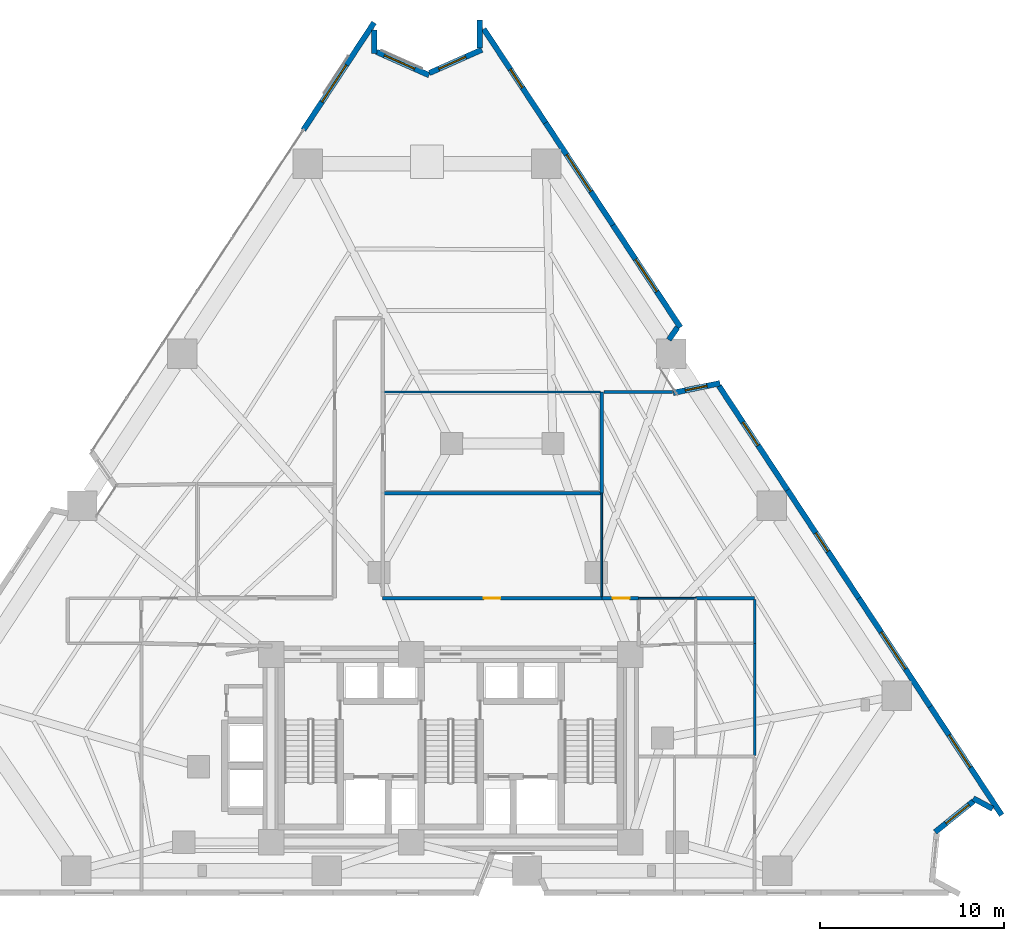
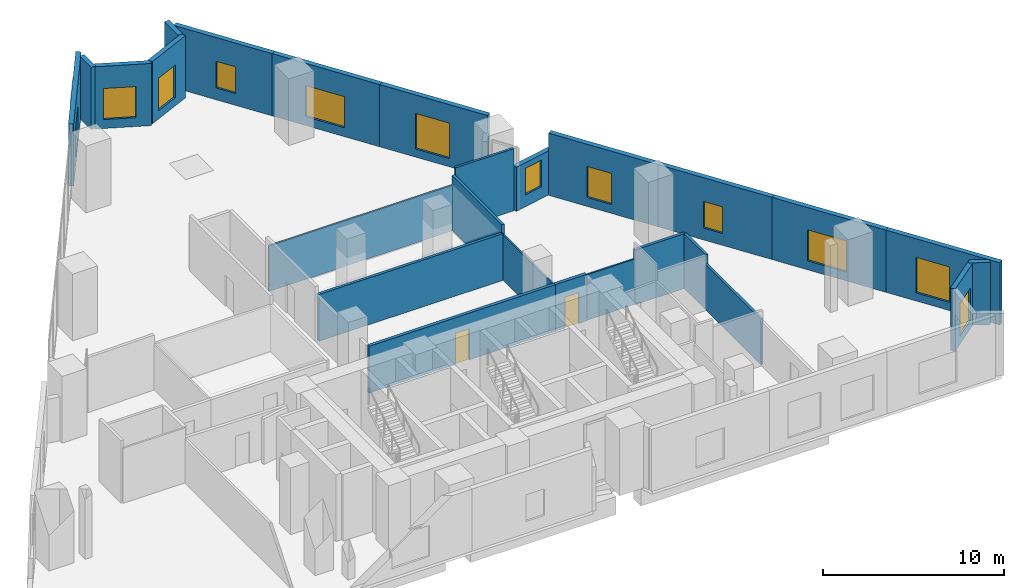
# One storey, part 9 of 12: 27 walls, 12 windows, 2 doors, 14 openings.
"""IFC4 building model written with IfcOpenShell, lengths in metres."""

from ifc_helpers import new_model, si_unit, direction, frame, frame_2d, origin, place, context, subcontext, project, spatial, rectangle, extrude, material, layer, layer_set, type_object, element, fill, save


model = new_model("IFC4")

# Units and contexts
model_context = context("Model", 3, precision=1e-05, world=origin(), true_north=direction((0.0, 1.0)))
body_context = subcontext(model_context, "Body", "Model", "MODEL_VIEW")
ifc_project = project(units=[si_unit("LENGTHUNIT", "METRE"), si_unit("AREAUNIT", "SQUARE_METRE"), si_unit("VOLUMEUNIT", "CUBIC_METRE"), si_unit("PLANEANGLEUNIT", "RADIAN"), si_unit("MASSUNIT", "GRAM", prefix="KILO")], contexts=[model_context])

# Site, building, storey
site_placement = place(None, origin())
site = spatial("IfcSite", under=ifc_project, at=site_placement, CompositionType="ELEMENT")
building_placement = place(site_placement, origin())
building = spatial("IfcBuilding", under=site, at=building_placement, Name="Almagre Mirador Tower", CompositionType="ELEMENT")
storey_placement = place(building_placement, frame((0.0, 0.0, 17.39990234375)))
storey = spatial("IfcBuildingStorey", under=building, at=storey_placement, Name="L03", CompositionType="ELEMENT", Elevation=17.39990234375)

# Wall, opening, window
ifc_material_1 = material(Name="Precast concrete C50/60", Category="concrete")
ifc_layer_1 = layer(ifc_material_1, 0.300048828125)
ifc_layer_set_1 = layer_set([ifc_layer_1], Name="Precast concrete C50/60")
wall_type_1 = type_object("IfcWallType", Name="WAL-EXT-300", PredefinedType="SOLIDWALL", material=ifc_layer_set_1)
wall_1_placement = place(storey_placement, frame((29.300048828125, 43.231689453125, 0.0), z_axis=(0.0, 0.0, 1.0), x_axis=(0.550186398058, 0.83504187164, 0.0)))
wall_1 = element("IfcWall", 1, at=wall_1_placement, inside=storey, type_object=wall_type_1, Name="L03 expressed almagre precast frame wall 03", PredefinedType="SOLIDWALL", context=body_context, shape_type="SweptSolid", body=[
    extrude(rectangle(XDim=6.977294921875, YDim=0.300048828125, at=frame_2d((3.48876953125, 0.0))), origin(), (0.0, 0.0, 1.0), 4.2001953125),
])
opening_1_placement = place(wall_1_placement, frame((1.824951171875, 0.0, 0.60009765625)))
opening_1 = element("IfcOpeningElement", 2, at=opening_1_placement, cuts=wall_1, Name="Opening WN-02", PredefinedType="OPENING", context=body_context, shape_type="SweptSolid", body=[
    extrude(rectangle(XDim=2.39990234375, YDim=2.10009765625, at=frame_2d((1.199951171875, 1.050048828125))), frame((0.0, 0.159902, 0.0), z_axis=(0.0, -1.0, 0.0), x_axis=(1.0, 0.0, 0.0)), (0.0, 0.0, 1.0), 0.320049),
])
ifc_material_2 = material(Name="Dark solar-control laminated hurricane glass", Category="glass")
window_type_1 = type_object("IfcWindowType", Name="WIN-2400X2100", PartitioningType="TRIPLE_PANEL_VERTICAL", PredefinedType="WINDOW", material=ifc_material_2)
window_1_placement = place(opening_1_placement, origin())
window_1 = element("IfcWindow", 3, at=window_1_placement, inside=storey, type_object=window_type_1, Name="L03 recessed hurricane window L03-MAS-12", OverallHeight=2.10009765625, OverallWidth=2.39990234375, PartitioningType="SINGLE_PANEL", PredefinedType="WINDOW", context=body_context, shape_type="SweptSolid", body=[
    extrude(rectangle(XDim=2.39990234375, YDim=2.10009765625, at=frame_2d((1.199951171875, 1.050048828125))), frame((0.0, 0.030029296875, 0.0), z_axis=(0.0, -1.0, 0.0), x_axis=(1.0, 0.0, 0.0)), (0.0, 0.0, 1.0), 0.06005859375),
])
fill(opening_1, window_1)

# Wall
wall_2_placement = place(storey_placement, frame((33.138916015625, 48.657958984375, 0.0), z_axis=(0.0, 0.0, 1.0), x_axis=(0.0, -1.0, 0.0)))
element("IfcWall", 4, at=wall_2_placement, inside=storey, type_object=wall_type_1, Name="L03 expressed almagre precast frame wall 04", PredefinedType="SOLIDWALL", context=body_context, shape_type="SweptSolid", body=[
    extrude(rectangle(XDim=1.27001953125, YDim=0.300048828125, at=frame_2d((0.635009765625, 0.0))), origin(), (0.0, 0.0, 1.0), 4.2001953125),
])

# Wall, opening, window
wall_3_placement = place(storey_placement, frame((33.26708984375, 47.47119140625, 0.0), z_axis=(0.0, 0.0, 1.0), x_axis=(0.913753658291, -0.40626869429, 0.0)))
wall_3 = element("IfcWall", 5, at=wall_3_placement, inside=storey, type_object=wall_type_1, Name="L03 expressed almagre precast frame wall 05", PredefinedType="SOLIDWALL", context=body_context, shape_type="SweptSolid", body=[
    extrude(rectangle(XDim=3.130859375, YDim=0.300048828125, at=frame_2d((1.5654296875, 0.0))), origin(), (0.0, 0.0, 1.0), 4.2001953125),
])
opening_2_placement = place(wall_3_placement, frame((0.469970703125, 0.0, 0.60009765625)))
opening_2 = element("IfcOpeningElement", 6, at=opening_2_placement, cuts=wall_3, Name="Opening WN-01", PredefinedType="OPENING", context=body_context, shape_type="SweptSolid", body=[
    extrude(rectangle(XDim=1.800048828125, YDim=2.10009765625, at=frame_2d((0.89990234375, 1.050048828125))), frame((0.0, 0.159902, 0.0), z_axis=(0.0, -1.0, 0.0), x_axis=(1.0, 0.0, 0.0)), (0.0, 0.0, 1.0), 0.320049),
])
ifc_material_3 = material(Name="Dark solar-control laminated hurricane glass", Category="glass")
window_type_2 = type_object("IfcWindowType", Name="WIN-1800X2100", PartitioningType="DOUBLE_PANEL_VERTICAL", PredefinedType="WINDOW", material=ifc_material_3)
window_2_placement = place(opening_2_placement, origin())
window_2 = element("IfcWindow", 7, at=window_2_placement, inside=storey, type_object=window_type_2, Name="L03 recessed hurricane window L03-MAS-12", OverallHeight=2.10009765625, OverallWidth=1.800048828125, PartitioningType="SINGLE_PANEL", PredefinedType="WINDOW", context=body_context, shape_type="SweptSolid", body=[
    extrude(rectangle(XDim=1.800048828125, YDim=2.10009765625, at=frame_2d((0.89990234375, 1.050048828125))), frame((0.0, 0.030029296875, 0.0), z_axis=(0.0, -1.0, 0.0), x_axis=(1.0, 0.0, 0.0)), (0.0, 0.0, 1.0), 0.06005859375),
])
fill(opening_2, window_2)

wall_4_placement = place(storey_placement, frame((36.13720703125, 46.31689453125, 0.0), z_axis=(0.0, 0.0, 1.0), x_axis=(0.913740568099, 0.406298134638, 0.0)))
wall_4 = element("IfcWall", 8, at=wall_4_placement, inside=storey, type_object=wall_type_1, Name="L03 expressed almagre precast frame wall 06", PredefinedType="SOLIDWALL", context=body_context, shape_type="SweptSolid", body=[
    extrude(rectangle(XDim=3.12109375, YDim=0.300048828125, at=frame_2d((1.560546875, 0.0))), origin(), (0.0, 0.0, 1.0), 4.2001953125),
])
opening_3_placement = place(wall_4_placement, frame((0.56005859375, 0.0, 0.550048828125)))
opening_3 = element("IfcOpeningElement", 9, at=opening_3_placement, cuts=wall_4, Name="Opening WN-06", PredefinedType="OPENING", context=body_context, shape_type="SweptSolid", body=[
    extrude(rectangle(XDim=1.60009765625, YDim=2.199951171875, at=frame_2d((0.800048828125, 1.10009765625))), frame((0.0, 0.159902, 0.0), z_axis=(0.0, -1.0, 0.0), x_axis=(1.0, 0.0, 0.0)), (0.0, 0.0, 1.0), 0.320049),
])
ifc_material_4 = material(Name="Dark solar-control laminated hurricane glass", Category="glass")
window_type_3 = type_object("IfcWindowType", Name="WIN-1600X2200", PartitioningType="DOUBLE_PANEL_VERTICAL", PredefinedType="WINDOW", material=ifc_material_4)
window_3_placement = place(opening_3_placement, origin())
window_3 = element("IfcWindow", 10, at=window_3_placement, inside=storey, type_object=window_type_3, Name="L03 recessed hurricane window L03-MAS-12", OverallHeight=2.199951171875, OverallWidth=1.60009765625, PartitioningType="SINGLE_PANEL", PredefinedType="WINDOW", context=body_context, shape_type="SweptSolid", body=[
    extrude(rectangle(XDim=1.60009765625, YDim=2.199951171875, at=frame_2d((0.800048828125, 1.10009765625))), frame((0.0, 0.030029296875, 0.0), z_axis=(0.0, -1.0, 0.0), x_axis=(1.0, 0.0, 0.0)), (0.0, 0.0, 1.0), 0.06005859375),
])
fill(opening_3, window_3)

# Wall
wall_5_placement = place(storey_placement, frame((38.861083984375, 47.673095703125, 0.0), z_axis=(0.0, 0.0, 1.0), x_axis=(0.0, 1.0, 0.0)))
element("IfcWall", 11, at=wall_5_placement, inside=storey, type_object=wall_type_1, Name="L03 expressed almagre precast frame wall 07", PredefinedType="SOLIDWALL", context=body_context, shape_type="SweptSolid", body=[
    extrude(rectangle(XDim=1.52490234375, YDim=0.300048828125, at=frame_2d((0.762451171875, 0.0))), origin(), (0.0, 0.0, 1.0), 4.2001953125),
])

# Wall, opening, window
wall_6_placement = place(storey_placement, frame((39.08935546875, 48.71142578125, 0.0), z_axis=(0.0, 0.0, 1.0), x_axis=(0.550222044762, -0.835018383904, 0.0)))
wall_6 = element("IfcWall", 12, at=wall_6_placement, inside=storey, type_object=wall_type_1, Name="L03 expressed almagre precast frame wall 08", PredefinedType="SOLIDWALL", context=body_context, shape_type="SweptSolid", body=[
    extrude(rectangle(XDim=6.10009765625, YDim=0.300048828125, at=frame_2d((3.050048828125, 0.0))), origin(), (0.0, 0.0, 1.0), 4.2001953125),
])
opening_4_placement = place(wall_6_placement, frame((2.6201171875, 0.0, 0.800048828125)))
opening_4 = element("IfcOpeningElement", 13, at=opening_4_placement, cuts=wall_6, Name="Opening WN-04", PredefinedType="OPENING", context=body_context, shape_type="SweptSolid", body=[
    extrude(rectangle(XDim=1.199951171875, YDim=1.800048828125, at=frame_2d((0.60009765625, 0.89990234375))), frame((0.0, 0.159902, 0.0), z_axis=(0.0, -1.0, 0.0), x_axis=(1.0, 0.0, 0.0)), (0.0, 0.0, 1.0), 0.320049),
])
ifc_material_5 = material(Name="Dark solar-control laminated hurricane glass", Category="glass")
window_type_4 = type_object("IfcWindowType", Name="WIN-1200X1800", PartitioningType="SINGLE_PANEL", PredefinedType="WINDOW", material=ifc_material_5)
window_4_placement = place(opening_4_placement, origin())
window_4 = element("IfcWindow", 14, at=window_4_placement, inside=storey, type_object=window_type_4, Name="L03 recessed hurricane window L03-MAS-12", OverallHeight=1.800048828125, OverallWidth=1.199951171875, PartitioningType="SINGLE_PANEL", PredefinedType="WINDOW", context=body_context, shape_type="SweptSolid", body=[
    extrude(rectangle(XDim=1.199951171875, YDim=1.800048828125, at=frame_2d((0.60009765625, 0.89990234375))), frame((0.0, 0.030029296875, 0.0), z_axis=(0.0, -1.0, 0.0), x_axis=(1.0, 0.0, 0.0)), (0.0, 0.0, 1.0), 0.06005859375),
])
fill(opening_4, window_4)

wall_7_placement = place(storey_placement, frame((42.44580078125, 43.61767578125, 0.0), z_axis=(0.0, 0.0, 1.0), x_axis=(0.55018838955, -0.835040559497, 0.0)))
wall_7 = element("IfcWall", 15, at=wall_7_placement, inside=storey, type_object=wall_type_1, Name="L03 expressed almagre precast frame wall 09", PredefinedType="SOLIDWALL", context=body_context, shape_type="SweptSolid", body=[
    extrude(rectangle(XDim=6.6552734375, YDim=0.300048828125, at=frame_2d((3.32763671875, 0.0))), origin(), (0.0, 0.0, 1.0), 4.2001953125),
])
opening_5_placement = place(wall_7_placement, frame((2.074951171875, 0.0, 0.60009765625)))
opening_5 = element("IfcOpeningElement", 16, at=opening_5_placement, cuts=wall_7, Name="Opening WN-02", PredefinedType="OPENING", context=body_context, shape_type="SweptSolid", body=[
    extrude(rectangle(XDim=2.39990234375, YDim=2.10009765625, at=frame_2d((1.199951171875, 1.050048828125))), frame((0.0, 0.159902, 0.0), z_axis=(0.0, -1.0, 0.0), x_axis=(1.0, 0.0, 0.0)), (0.0, 0.0, 1.0), 0.320049),
])
window_5_placement = place(opening_5_placement, origin())
window_5 = element("IfcWindow", 17, at=window_5_placement, inside=storey, type_object=window_type_1, Name="L03 recessed hurricane window L03-MAS-12", OverallHeight=2.10009765625, OverallWidth=2.39990234375, PartitioningType="SINGLE_PANEL", PredefinedType="WINDOW", context=body_context, shape_type="SweptSolid", body=[
    extrude(rectangle(XDim=2.39990234375, YDim=2.10009765625, at=frame_2d((1.199951171875, 1.050048828125))), frame((0.0, 0.030029296875, 0.0), z_axis=(0.0, -1.0, 0.0), x_axis=(1.0, 0.0, 0.0)), (0.0, 0.0, 1.0), 0.06005859375),
])
fill(opening_5, window_5)

wall_8_placement = place(storey_placement, frame((46.107421875, 38.060302734375, 0.0), z_axis=(0.0, 0.0, 1.0), x_axis=(0.550205243724, -0.835029454438, 0.0)))
wall_8 = element("IfcWall", 18, at=wall_8_placement, inside=storey, type_object=wall_type_1, Name="L03 expressed almagre precast frame wall 10", PredefinedType="SOLIDWALL", context=body_context, shape_type="SweptSolid", body=[
    extrude(rectangle(XDim=6.655029296875, YDim=0.300048828125, at=frame_2d((3.32763671875, 0.0))), origin(), (0.0, 0.0, 1.0), 4.2001953125),
])
opening_6_placement = place(wall_8_placement, frame((2.22509765625, 0.0, 0.550048828125)))
opening_6 = element("IfcOpeningElement", 19, at=opening_6_placement, cuts=wall_8, Name="Opening WN-05", PredefinedType="OPENING", context=body_context, shape_type="SweptSolid", body=[
    extrude(rectangle(XDim=2.10009765625, YDim=2.39990234375, at=frame_2d((1.050048828125, 1.199951171875))), frame((0.0, 0.159902, 0.0), z_axis=(0.0, -1.0, 0.0), x_axis=(1.0, 0.0, 0.0)), (0.0, 0.0, 1.0), 0.320049),
])
ifc_material_6 = material(Name="Dark solar-control laminated hurricane glass", Category="glass")
window_type_5 = type_object("IfcWindowType", Name="WIN-2100X2400", PartitioningType="DOUBLE_PANEL_VERTICAL", PredefinedType="WINDOW", material=ifc_material_6)
window_6_placement = place(opening_6_placement, origin())
window_6 = element("IfcWindow", 20, at=window_6_placement, inside=storey, type_object=window_type_5, Name="L03 recessed hurricane window L03-MAS-12", OverallHeight=2.39990234375, OverallWidth=2.10009765625, PartitioningType="SINGLE_PANEL", PredefinedType="WINDOW", context=body_context, shape_type="SweptSolid", body=[
    extrude(rectangle(XDim=2.10009765625, YDim=2.39990234375, at=frame_2d((1.050048828125, 1.199951171875))), frame((0.0, 0.030029296875, 0.0), z_axis=(0.0, -1.0, 0.0), x_axis=(1.0, 0.0, 0.0)), (0.0, 0.0, 1.0), 0.06005859375),
])
fill(opening_6, window_6)

# Wall
wall_9_placement = place(storey_placement, frame((49.61181640625, 32.50537109375, 0.0), z_axis=(0.0, 0.0, 1.0), x_axis=(-0.572626582804, -0.819816318859, 0.0)))
element("IfcWall", 21, at=wall_9_placement, inside=storey, type_object=wall_type_1, Name="L03 expressed almagre precast frame wall 11", PredefinedType="SOLIDWALL", context=body_context, shape_type="SweptSolid", body=[
    extrude(rectangle(XDim=0.82373046875, YDim=0.300048828125, at=frame_2d((0.411865234375, 0.0))), origin(), (0.0, 0.0, 1.0), 2.97509765625),
])

# Wall, opening, window
wall_10_placement = place(storey_placement, frame((49.3798828125, 28.94970703125, 0.0), z_axis=(0.0, 0.0, 1.0), x_axis=(0.979255912096, 0.202627388635, 0.0)))
wall_10 = element("IfcWall", 22, at=wall_10_placement, inside=storey, type_object=wall_type_1, Name="L03 expressed almagre precast frame wall 12", PredefinedType="SOLIDWALL", context=body_context, shape_type="SweptSolid", body=[
    extrude(rectangle(XDim=2.593994140625, YDim=0.300048828125, at=frame_2d((1.296875, 0.0))), origin(), (0.0, 0.0, 1.0), 2.97509765625),
])
opening_7_placement = place(wall_10_placement, frame((0.675048828125, 0.0, 0.800048828125)))
opening_7 = element("IfcOpeningElement", 23, at=opening_7_placement, cuts=wall_10, Name="Opening WN-04", PredefinedType="OPENING", context=body_context, shape_type="SweptSolid", body=[
    extrude(rectangle(XDim=1.199951171875, YDim=1.800048828125, at=frame_2d((0.60009765625, 0.89990234375))), frame((0.0, 0.159902, 0.0), z_axis=(0.0, -1.0, 0.0), x_axis=(1.0, 0.0, 0.0)), (0.0, 0.0, 1.0), 0.320049),
])
window_7_placement = place(opening_7_placement, origin())
window_7 = element("IfcWindow", 24, at=window_7_placement, inside=storey, type_object=window_type_4, Name="L03 recessed hurricane window L03-TRT-5", OverallHeight=1.800048828125, OverallWidth=1.199951171875, PartitioningType="SINGLE_PANEL", PredefinedType="WINDOW", context=body_context, shape_type="SweptSolid", body=[
    extrude(rectangle(XDim=1.199951171875, YDim=1.800048828125, at=frame_2d((0.60009765625, 0.89990234375))), frame((0.0, 0.030029296875, 0.0), z_axis=(0.0, -1.0, 0.0), x_axis=(1.0, 0.0, 0.0)), (0.0, 0.0, 1.0), 0.06005859375),
])
fill(opening_7, window_7)

wall_11_placement = place(storey_placement, frame((51.857421875, 29.334228515625, 0.0), z_axis=(0.0, 0.0, 1.0), x_axis=(0.550199688891, -0.835033114519, 0.0)))
wall_11 = element("IfcWall", 25, at=wall_11_placement, inside=storey, type_object=wall_type_1, Name="L03 expressed almagre precast frame wall 13", PredefinedType="SOLIDWALL", context=body_context, shape_type="SweptSolid", body=[
    extrude(rectangle(XDim=6.772216796875, YDim=0.300048828125, at=frame_2d((3.38623046875, 0.0))), origin(), (0.0, 0.0, 1.0), 4.2001953125),
])
opening_8_placement = place(wall_11_placement, frame((2.375, 0.0, 0.60009765625)))
opening_8 = element("IfcOpeningElement", 26, at=opening_8_placement, cuts=wall_11, Name="Opening WN-03", PredefinedType="OPENING", context=body_context, shape_type="SweptSolid", body=[
    extrude(rectangle(XDim=1.5, YDim=2.10009765625, at=frame_2d((0.75, 1.050048828125))), frame((0.0, 0.159902, 0.0), z_axis=(0.0, -1.0, 0.0), x_axis=(1.0, 0.0, 0.0)), (0.0, 0.0, 1.0), 0.320049),
])
ifc_material_7 = material(Name="Dark solar-control laminated hurricane glass", Category="glass")
window_type_6 = type_object("IfcWindowType", Name="WIN-1500X2100", PartitioningType="DOUBLE_PANEL_VERTICAL", PredefinedType="WINDOW", material=ifc_material_7)
window_8_placement = place(opening_8_placement, origin())
window_8 = element("IfcWindow", 27, at=window_8_placement, inside=storey, type_object=window_type_6, Name="L03 recessed hurricane window L03-TRT-5", OverallHeight=2.10009765625, OverallWidth=1.5, PartitioningType="SINGLE_PANEL", PredefinedType="WINDOW", context=body_context, shape_type="SweptSolid", body=[
    extrude(rectangle(XDim=1.5, YDim=2.10009765625, at=frame_2d((0.75, 1.050048828125))), frame((0.0, 0.030029296875, 0.0), z_axis=(0.0, -1.0, 0.0), x_axis=(1.0, 0.0, 0.0)), (0.0, 0.0, 1.0), 0.06005859375),
])
fill(opening_8, window_8)

wall_12_placement = place(storey_placement, frame((55.58349609375, 23.67919921875, 0.0), z_axis=(0.0, 0.0, 1.0), x_axis=(0.550199186231, -0.83503344572, 0.0)))
wall_12 = element("IfcWall", 28, at=wall_12_placement, inside=storey, type_object=wall_type_1, Name="L03 expressed almagre precast frame wall 14", PredefinedType="SOLIDWALL", context=body_context, shape_type="SweptSolid", body=[
    extrude(rectangle(XDim=7.04736328125, YDim=0.300048828125, at=frame_2d((3.523681640625, 0.0))), origin(), (0.0, 0.0, 1.0), 4.2001953125),
])
opening_9_placement = place(wall_12_placement, frame((2.800048828125, 0.0, 0.800048828125)))
opening_9 = element("IfcOpeningElement", 29, at=opening_9_placement, cuts=wall_12, Name="Opening WN-04", PredefinedType="OPENING", context=body_context, shape_type="SweptSolid", body=[
    extrude(rectangle(XDim=1.199951171875, YDim=1.800048828125, at=frame_2d((0.60009765625, 0.89990234375))), frame((0.0, 0.159902, 0.0), z_axis=(0.0, -1.0, 0.0), x_axis=(1.0, 0.0, 0.0)), (0.0, 0.0, 1.0), 0.320049),
])
window_9_placement = place(opening_9_placement, origin())
window_9 = element("IfcWindow", 30, at=window_9_placement, inside=storey, type_object=window_type_4, Name="L03 recessed hurricane window L03-TRT-5", OverallHeight=1.800048828125, OverallWidth=1.199951171875, PartitioningType="SINGLE_PANEL", PredefinedType="WINDOW", context=body_context, shape_type="SweptSolid", body=[
    extrude(rectangle(XDim=1.199951171875, YDim=1.800048828125, at=frame_2d((0.60009765625, 0.89990234375))), frame((0.0, 0.030029296875, 0.0), z_axis=(0.0, -1.0, 0.0), x_axis=(1.0, 0.0, 0.0)), (0.0, 0.0, 1.0), 0.06005859375),
])
fill(opening_9, window_9)

wall_13_placement = place(storey_placement, frame((59.4609375, 17.79443359375, 0.0), z_axis=(0.0, 0.0, 1.0), x_axis=(0.550215102762, -0.835022958183, 0.0)))
wall_13 = element("IfcWall", 31, at=wall_13_placement, inside=storey, type_object=wall_type_1, Name="L03 expressed almagre precast frame wall 15", PredefinedType="SOLIDWALL", context=body_context, shape_type="SweptSolid", body=[
    extrude(rectangle(XDim=7.047119140625, YDim=0.300048828125, at=frame_2d((3.5234375, 0.0))), origin(), (0.0, 0.0, 1.0), 4.2001953125),
])
opening_10_placement = place(wall_13_placement, frame((2.199951171875, 0.0, 0.60009765625)))
opening_10 = element("IfcOpeningElement", 32, at=opening_10_placement, cuts=wall_13, Name="Opening WN-02", PredefinedType="OPENING", context=body_context, shape_type="SweptSolid", body=[
    extrude(rectangle(XDim=2.39990234375, YDim=2.10009765625, at=frame_2d((1.199951171875, 1.050048828125))), frame((0.0, 0.159902, 0.0), z_axis=(0.0, -1.0, 0.0), x_axis=(1.0, 0.0, 0.0)), (0.0, 0.0, 1.0), 0.320049),
])
window_10_placement = place(opening_10_placement, origin())
window_10 = element("IfcWindow", 33, at=window_10_placement, inside=storey, type_object=window_type_1, Name="L03 recessed hurricane window L03-TRT-5", OverallHeight=2.10009765625, OverallWidth=2.39990234375, PartitioningType="SINGLE_PANEL", PredefinedType="WINDOW", context=body_context, shape_type="SweptSolid", body=[
    extrude(rectangle(XDim=2.39990234375, YDim=2.10009765625, at=frame_2d((1.199951171875, 1.050048828125))), frame((0.0, 0.030029296875, 0.0), z_axis=(0.0, -1.0, 0.0), x_axis=(1.0, 0.0, 0.0)), (0.0, 0.0, 1.0), 0.06005859375),
])
fill(opening_10, window_10)

wall_14_placement = place(storey_placement, frame((63.33837890625, 11.909912109375, 0.0), z_axis=(0.0, 0.0, 1.0), x_axis=(0.5502233414, -0.835017529504, 0.0)))
wall_14 = element("IfcWall", 34, at=wall_14_placement, inside=storey, type_object=wall_type_1, Name="L03 expressed almagre precast frame wall 16", PredefinedType="SOLIDWALL", context=body_context, shape_type="SweptSolid", body=[
    extrude(rectangle(XDim=7.04736328125, YDim=0.300048828125, at=frame_2d((3.523681640625, 0.0))), origin(), (0.0, 0.0, 1.0), 4.2001953125),
])
opening_11_placement = place(wall_14_placement, frame((1.85009765625, 0.0, 0.550048828125)))
opening_11 = element("IfcOpeningElement", 35, at=opening_11_placement, cuts=wall_14, Name="Opening WN-05", PredefinedType="OPENING", context=body_context, shape_type="SweptSolid", body=[
    extrude(rectangle(XDim=2.10009765625, YDim=2.39990234375, at=frame_2d((1.050048828125, 1.199951171875))), frame((0.0, 0.159902, 0.0), z_axis=(0.0, -1.0, 0.0), x_axis=(1.0, 0.0, 0.0)), (0.0, 0.0, 1.0), 0.320049),
])
window_11_placement = place(opening_11_placement, origin())
window_11 = element("IfcWindow", 36, at=window_11_placement, inside=storey, type_object=window_type_5, Name="L03 recessed hurricane window L03-TRT-5", OverallHeight=2.39990234375, OverallWidth=2.10009765625, PartitioningType="SINGLE_PANEL", PredefinedType="WINDOW", context=body_context, shape_type="SweptSolid", body=[
    extrude(rectangle(XDim=2.10009765625, YDim=2.39990234375, at=frame_2d((1.050048828125, 1.199951171875))), frame((0.0, 0.030029296875, 0.0), z_axis=(0.0, -1.0, 0.0), x_axis=(1.0, 0.0, 0.0)), (0.0, 0.0, 1.0), 0.06005859375),
])
fill(opening_11, window_11)

# Wall
wall_15_placement = place(storey_placement, frame((66.720703125, 6.367431640625, 0.0), z_axis=(0.0, 0.0, 1.0), x_axis=(-0.880320174686, 0.474380005946, 0.0)))
element("IfcWall", 37, at=wall_15_placement, inside=storey, type_object=wall_type_1, Name="L03 expressed almagre precast frame wall 17", PredefinedType="SOLIDWALL", context=body_context, shape_type="SweptSolid", body=[
    extrude(rectangle(XDim=1.195068359375, YDim=0.300048828125, at=frame_2d((0.59765625, 0.0))), origin(), (0.0, 0.0, 1.0), 4.2001953125),
])

# Wall, opening, window
wall_16_placement = place(storey_placement, frame((65.68310546875, 6.780029296875, 0.0), z_axis=(0.0, 0.0, 1.0), x_axis=(-0.778253340515, -0.62795042637, 0.0)))
wall_16 = element("IfcWall", 38, at=wall_16_placement, inside=storey, type_object=wall_type_1, Name="L03 expressed almagre precast frame wall 18", PredefinedType="SOLIDWALL", context=body_context, shape_type="SweptSolid", body=[
    extrude(rectangle(XDim=2.67529296875, YDim=0.300048828125, at=frame_2d((1.337646484375, 0.0))), origin(), (0.0, 0.0, 1.0), 4.2001953125),
])
opening_12_placement = place(wall_16_placement, frame((0.320068359375, 0.0, 0.550048828125)))
opening_12 = element("IfcOpeningElement", 39, at=opening_12_placement, cuts=wall_16, Name="Opening WN-06", PredefinedType="OPENING", context=body_context, shape_type="SweptSolid", body=[
    extrude(rectangle(XDim=1.60009765625, YDim=2.199951171875, at=frame_2d((0.800048828125, 1.10009765625))), frame((0.0, 0.159902, 0.0), z_axis=(0.0, -1.0, 0.0), x_axis=(1.0, 0.0, 0.0)), (0.0, 0.0, 1.0), 0.320049),
])
window_12_placement = place(opening_12_placement, origin())
window_12 = element("IfcWindow", 40, at=window_12_placement, inside=storey, type_object=window_type_3, Name="L03 recessed hurricane window L03-TRT-5", OverallHeight=2.199951171875, OverallWidth=1.60009765625, PartitioningType="SINGLE_PANEL", PredefinedType="WINDOW", context=body_context, shape_type="SweptSolid", body=[
    extrude(rectangle(XDim=1.60009765625, YDim=2.199951171875, at=frame_2d((0.800048828125, 1.10009765625))), frame((0.0, 0.030029296875, 0.0), z_axis=(0.0, -1.0, 0.0), x_axis=(1.0, 0.0, 0.0)), (0.0, 0.0, 1.0), 0.06005859375),
])
fill(opening_12, window_12)

# Walls
ifc_material_8 = material(Name="Gypsum acoustic stud partition", Category="other")
ifc_layer_2 = layer(ifc_material_8, 0.10009765625)
ifc_layer_set_2 = layer_set([ifc_layer_2], Name="Gypsum acoustic stud partition")
wall_type_2 = type_object("IfcWallType", Name="WAL-PRT-100-CLS", PredefinedType="PARTITIONING", material=ifc_layer_set_2)
wall_17_placement = place(storey_placement, frame((47.5, 17.800048828125, 0.0), z_axis=(0.0, 0.0, 1.0), x_axis=(1.0, 0.0, 0.0)))
element("IfcWall", 41, at=wall_17_placement, inside=storey, type_object=wall_type_2, Name="L03 interior partition 029", PredefinedType="PARTITIONING", context=body_context, shape_type="SweptSolid", body=[
    extrude(rectangle(XDim=3.10009765625, YDim=0.10009765625, at=frame_2d((1.550048828125, 0.0))), origin(), (0.0, 0.0, 1.0), 3.078125),
])
wall_18_placement = place(storey_placement, frame((45.5, 23.5, 0.0), z_axis=(0.0, 0.0, 1.0), x_axis=(0.0, -1.0, 0.0)))
element("IfcWall", 42, at=wall_18_placement, inside=storey, type_object=wall_type_2, Name="L03 interior partition 032", PredefinedType="PARTITIONING", context=body_context, shape_type="SweptSolid", body=[
    extrude(rectangle(XDim=5.614990234375, YDim=0.10009765625, at=frame_2d((2.8076171875, 0.0))), origin(), (0.0, 0.0, 1.0), 3.078125),
])
wall_19_placement = place(storey_placement, frame((45.427490234375, 29.0, 0.0), z_axis=(0.0, 0.0, 1.0), x_axis=(-1.0, 0.0, 0.0)))
element("IfcWall", 43, at=wall_19_placement, inside=storey, type_object=wall_type_2, Name="L03 interior partition 038", PredefinedType="PARTITIONING", context=body_context, shape_type="SweptSolid", body=[
    extrude(rectangle(XDim=11.742431640625, YDim=0.10009765625, at=frame_2d((5.87109375, 0.0))), origin(), (0.0, 0.0, 1.0), 3.078125),
])
ifc_material_9 = material(Name="Gypsum acoustic stud partition", Category="other")
ifc_layer_3 = layer(ifc_material_9, 0.14990234375)
ifc_layer_set_3 = layer_set([ifc_layer_3], Name="Gypsum acoustic stud partition")
wall_type_3 = type_object("IfcWallType", Name="WAL-PRT-150-STD", PredefinedType="PARTITIONING", material=ifc_layer_set_3)
wall_20_placement = place(storey_placement, frame((53.800048828125, 9.260009765625, 0.0), z_axis=(0.0, 0.0, 1.0), x_axis=(0.0, 1.0, 0.0)))
element("IfcWall", 44, at=wall_20_placement, inside=storey, type_object=wall_type_3, Name="L03 interior partition 027", PredefinedType="PARTITIONING", context=body_context, shape_type="SweptSolid", body=[
    extrude(rectangle(XDim=6.090087890625, YDim=0.14990234375, at=frame_2d((3.044921875, 0.0))), origin(), (0.0, 0.0, 1.0), 3.078125),
])
wall_21_placement = place(storey_placement, frame((53.800048828125, 17.7275390625, 0.0), z_axis=(0.0, 0.0, 1.0), x_axis=(0.0, -1.0, 0.0)))
element("IfcWall", 45, at=wall_21_placement, inside=storey, type_object=wall_type_3, Name="L03 interior partition 031", PredefinedType="PARTITIONING", context=body_context, shape_type="SweptSolid", body=[
    extrude(rectangle(XDim=2.37744140625, YDim=0.14990234375, at=frame_2d((1.188720703125, 0.0))), origin(), (0.0, 0.0, 1.0), 3.710205078125),
])
wall_22_placement = place(storey_placement, frame((49.333251953125, 29.0, 0.0), z_axis=(0.0, 0.0, 1.0), x_axis=(-1.0, 0.0, 0.0)))
element("IfcWall", 46, at=wall_22_placement, inside=storey, type_object=wall_type_3, Name="L03 interior partition 901", PredefinedType="PARTITIONING", context=body_context, shape_type="SweptSolid", body=[
    extrude(rectangle(XDim=3.725830078125, YDim=0.14990234375, at=frame_2d((1.86279296875, 0.0))), origin(), (0.0, 0.0, 1.0), 4.2001953125),
])
ifc_material_10 = material(Name="Gypsum acoustic stud partition", Category="other")
ifc_layer_4 = layer(ifc_material_10, 0.175048828125)
ifc_layer_set_4 = layer_set([ifc_layer_4], Name="Gypsum acoustic stud partition")
wall_type_4 = type_object("IfcWallType", Name="WAL-PRT-175-AC", PredefinedType="PARTITIONING", material=ifc_layer_set_4)
wall_23_placement = place(storey_placement, frame((50.60009765625, 17.800048828125, 0.0), z_axis=(0.0, 0.0, 1.0), x_axis=(1.0, 0.0, 0.0)))
element("IfcWall", 47, at=wall_23_placement, inside=storey, type_object=wall_type_4, Name="L03 interior partition 030", PredefinedType="PARTITIONING", context=body_context, shape_type="SweptSolid", body=[
    extrude(rectangle(XDim=3.199951171875, YDim=0.175048828125, at=frame_2d((1.60009765625, 0.0))), origin(), (0.0, 0.0, 1.0), 3.710205078125),
])
wall_24_placement = place(storey_placement, frame((45.5, 29.0, 0.0), z_axis=(0.0, 0.0, 1.0), x_axis=(0.0, -1.0, 0.0)))
element("IfcWall", 48, at=wall_24_placement, inside=storey, type_object=wall_type_4, Name="L03 interior partition 033", PredefinedType="PARTITIONING", context=body_context, shape_type="SweptSolid", body=[
    extrude(rectangle(XDim=5.5, YDim=0.175048828125, at=frame_2d((2.75, 0.0))), origin(), (0.0, 0.0, 1.0), 3.710205078125),
])
wall_25_placement = place(storey_placement, frame((45.465087890625, 23.5, 0.0), z_axis=(0.0, 0.0, 1.0), x_axis=(-1.0, 0.0, 0.0)))
element("IfcWall", 49, at=wall_25_placement, inside=storey, type_object=wall_type_4, Name="L03 interior partition 036", PredefinedType="PARTITIONING", context=body_context, shape_type="SweptSolid", body=[
    extrude(rectangle(XDim=11.780029296875, YDim=0.175048828125, at=frame_2d((5.89013671875, 0.0))), origin(), (0.0, 0.0, 1.0), 3.1591796875),
])

# Wall, opening, door
ifc_material_11 = material(Name="Gypsum acoustic stud partition", Category="other")
ifc_layer_5 = layer(ifc_material_11, 0.199951171875)
ifc_layer_set_5 = layer_set([ifc_layer_5], Name="Gypsum acoustic stud partition")
wall_type_5 = type_object("IfcWallType", Name="WAL-PRT-200-EI60", PredefinedType="PARTITIONING", material=ifc_layer_set_5)
wall_26_placement = place(storey_placement, frame((47.5, 17.800048828125, 0.0), z_axis=(0.0, 0.0, 1.0), x_axis=(-1.0, 0.0, 0.0)))
wall_26 = element("IfcWall", 50, at=wall_26_placement, inside=storey, type_object=wall_type_5, Name="L03 interior partition 003", PredefinedType="PARTITIONING", context=body_context, shape_type="SweptSolid", body=[
    extrude(rectangle(XDim=2.0, YDim=0.199951171875, at=frame_2d((1.0, 0.0))), origin(), (0.0, 0.0, 1.0), 3.1591796875),
])
opening_13_placement = place(wall_26_placement, frame((0.491455078125, 0.0, 0.0)))
opening_13 = element("IfcOpeningElement", 51, at=opening_13_placement, cuts=wall_26, Name="Opening ID-03", PredefinedType="OPENING", context=body_context, shape_type="SweptSolid", body=[
    extrude(rectangle(XDim=0.89990234375, YDim=2.10009765625, at=frame_2d((0.449951171875, 1.050048828125))), frame((0.0, 0.110098, 0.0), z_axis=(0.0, -1.0, 0.0), x_axis=(1.0, 0.0, 0.0)), (0.0, 0.0, 1.0), 0.219951),
])
ifc_material_12 = material(Name="Fire-rated hollow steel", Category="steel")
door_type = type_object("IfcDoorType", Name="DOR-FD60-900X2100", OperationType="NOTDEFINED", PredefinedType="DOOR", material=ifc_material_12)
door_1_placement = place(opening_13_placement, origin())
door_1 = element("IfcDoor", 52, at=door_1_placement, inside=storey, type_object=door_type, Name="DR-0130 L03 interior door L03-COR to L03-TRT-5", OperationType="SINGLE_SWING_LEFT", OverallHeight=2.10009765625, OverallWidth=0.89990234375, PredefinedType="DOOR", context=body_context, shape_type="SweptSolid", body=[
    extrude(rectangle(XDim=0.89990234375, YDim=2.10009765625, at=frame_2d((0.449951171875, 1.050048828125))), frame((0.0, 0.02490234375, 0.0), z_axis=(0.0, -1.0, 0.0), x_axis=(1.0, 0.0, 0.0)), (0.0, 0.0, 1.0), 0.050048828125),
])
fill(opening_13, door_1)

wall_27_placement = place(storey_placement, frame((45.5, 17.800048828125, 0.0), z_axis=(0.0, 0.0, 1.0), x_axis=(-1.0, 0.0, 0.0)))
wall_27 = element("IfcWall", 53, at=wall_27_placement, inside=storey, type_object=wall_type_5, Name="L03 interior partition 006", PredefinedType="PARTITIONING", context=body_context, shape_type="SweptSolid", body=[
    extrude(rectangle(XDim=11.89990234375, YDim=0.199951171875, at=frame_2d((5.949951171875, 0.0))), origin(), (0.0, 0.0, 1.0), 3.1591796875),
])
opening_14_placement = place(wall_27_placement, frame((5.5, 0.0, 0.0)))
opening_14 = element("IfcOpeningElement", 54, at=opening_14_placement, cuts=wall_27, Name="Opening ID-03", PredefinedType="OPENING", context=body_context, shape_type="SweptSolid", body=[
    extrude(rectangle(XDim=0.89990234375, YDim=2.10009765625, at=frame_2d((0.449951171875, 1.050048828125))), frame((0.0, 0.110098, 0.0), z_axis=(0.0, -1.0, 0.0), x_axis=(1.0, 0.0, 0.0)), (0.0, 0.0, 1.0), 0.219951),
])
door_2_placement = place(opening_14_placement, origin())
door_2 = element("IfcDoor", 55, at=door_2_placement, inside=storey, type_object=door_type, Name="DR-0127 L03 interior door L03-COR to L03-PIL-9", OperationType="SINGLE_SWING_RIGHT", OverallHeight=2.10009765625, OverallWidth=0.89990234375, PredefinedType="DOOR", context=body_context, shape_type="SweptSolid", body=[
    extrude(rectangle(XDim=0.89990234375, YDim=2.10009765625, at=frame_2d((0.449951171875, 1.050048828125))), frame((0.0, 0.02490234375, 0.0), z_axis=(0.0, -1.0, 0.0), x_axis=(1.0, 0.0, 0.0)), (0.0, 0.0, 1.0), 0.050048828125),
])
fill(opening_14, door_2)

save(model, "model.ifc")
